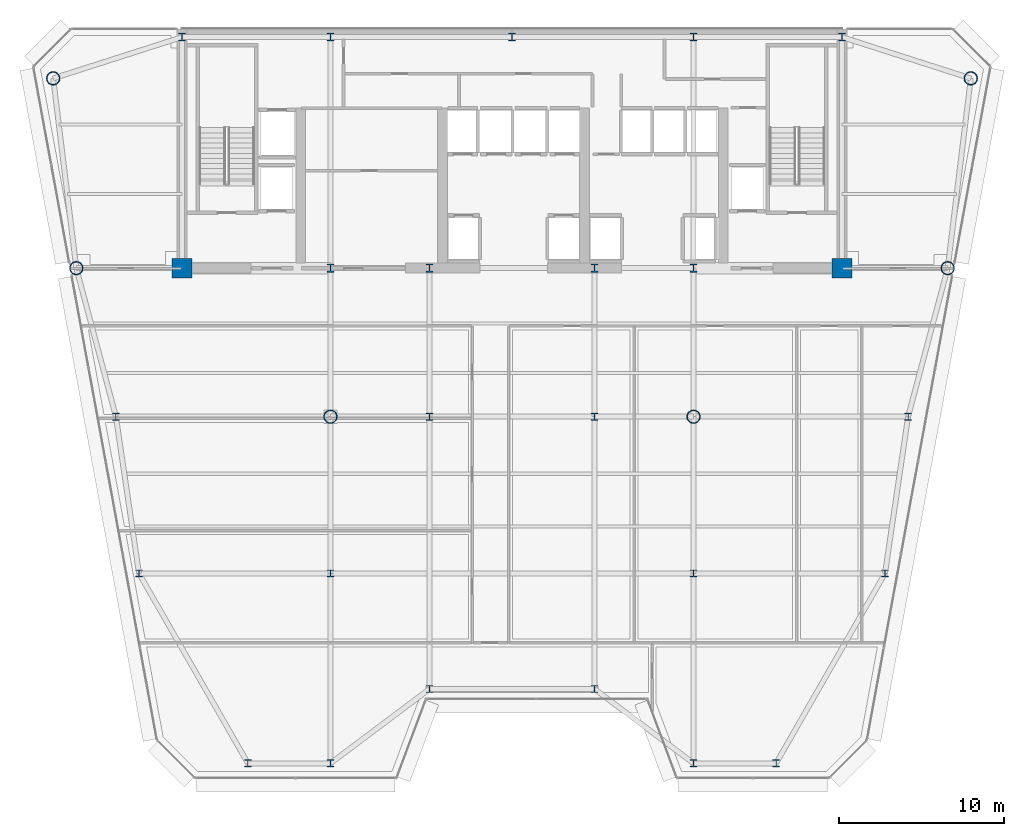
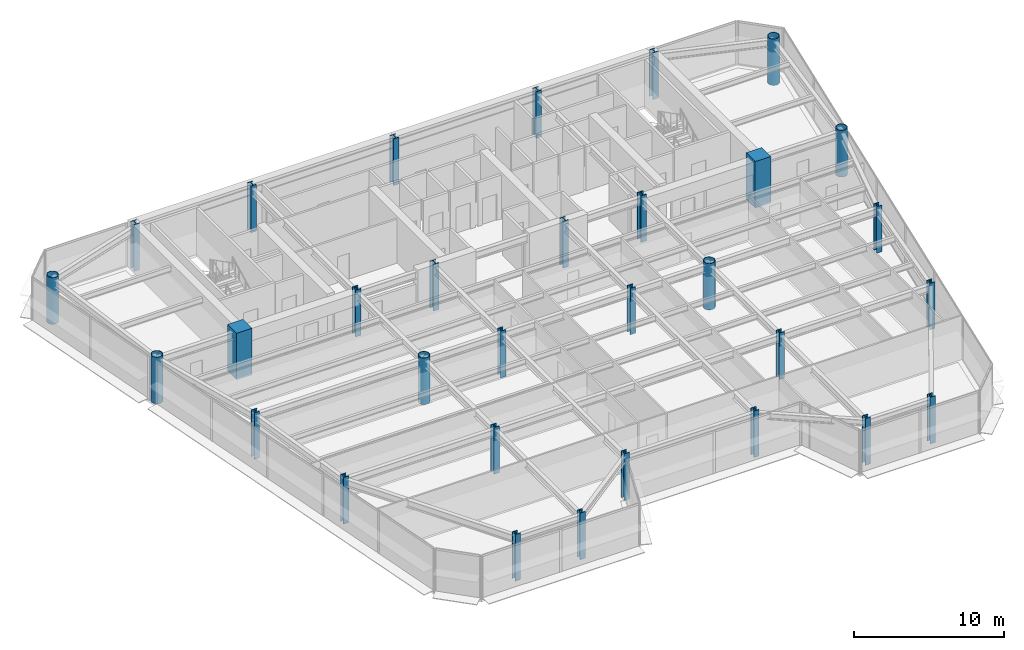
# One storey, part 1 of 16: 31 columns.
"""IFC4 building model written with IfcOpenShell, lengths in metres."""

from ifc_helpers import new_model, si_unit, direction, frame, origin, origin_2d, place, context, subcontext, project, spatial, rectangle, hollow_circle, i_section, extrude, source, transform, mapped, material, material_profile, profile_set, type_object, element, save


model = new_model("IFC4")

# Units and contexts
model_context = context("Model", 3, precision=1e-05, world=origin(), true_north=direction((0.0, 1.0)))
body_context = subcontext(model_context, "Body", "Model", "MODEL_VIEW")
ifc_project = project(units=[si_unit("LENGTHUNIT", "METRE"), si_unit("AREAUNIT", "SQUARE_METRE"), si_unit("VOLUMEUNIT", "CUBIC_METRE"), si_unit("PLANEANGLEUNIT", "RADIAN"), si_unit("MASSUNIT", "GRAM", prefix="KILO")], contexts=[model_context])

# Site, building, storey
site_placement = place(None, origin())
site = spatial("IfcSite", under=ifc_project, at=site_placement, CompositionType="ELEMENT")
building_placement = place(site_placement, origin())
building = spatial("IfcBuilding", under=site, at=building_placement, Name="Vaeldorn Concourse Tower", CompositionType="ELEMENT")
storey_placement = place(building_placement, frame((0.0, 0.0, 184.199951171875)))
storey = spatial("IfcBuildingStorey", under=building, at=storey_placement, Name="L47", CompositionType="ELEMENT", Elevation=184.199951171875)

# Columns
ifc_material_1 = material(Name="Concrete C50/60", Category="concrete")
ifc_material_profile_1 = material_profile(ifc_material_1, rectangle(XDim=1.199951171875, YDim=1.199951171875, at=origin_2d()), Name="RC 1200x1200")
ifc_profile_set_1 = profile_set([ifc_material_profile_1], Name="Concrete C50/60")
column_type_1 = type_object("IfcColumnType", Name="COL-RC1200", PredefinedType="COLUMN", material=ifc_profile_set_1)
shared_shape_1 = source(origin(), body_context, "Body", "SweptSolid", [
    extrude(rectangle(XDim=1.199951171875, YDim=1.199951171875, at=origin_2d()), origin(), (0.0, 0.0, 1.0), 3.800048828125),
])
for number, where, z_axis, x_axis, name in (
    (1, (14.0, 36.5, 0.0), (0.0, 0.0, 1.0), (1.0, 0.0, 0.0), "Column C-FC1 L47"),
    (2, (54.0, 36.5, 0.0), (0.0, 0.0, 1.0), (1.0, 0.0, 0.0), "Column C-FC6 L47"),
):
    element("IfcColumn", number, at=place(storey_placement, frame(where, z_axis=z_axis, x_axis=x_axis)), inside=storey, type_object=column_type_1, Name=name, PredefinedType="COLUMN", context=body_context, shape_type="MappedRepresentation", body=[
        mapped(shared_shape_1, transform((0.0, 0.0, 0.0), scale=1.0)),
    ])
ifc_material_2 = material(Name="Steel S460", Category="steel")
ifc_material_profile_2 = material_profile(ifc_material_2, i_section(OverallWidth=0.431884765625, OverallDepth=0.498046875, WebThickness=0.054931640625, FlangeThickness=0.068115234375, FilletRadius=0.014892578125, at=origin_2d()), Name="HD 400x744")
ifc_profile_set_2 = profile_set([ifc_material_profile_2], Name="Steel S460")
column_type_2 = type_object("IfcColumnType", Name="COL-HD744", PredefinedType="COLUMN", material=ifc_profile_set_2)
shared_shape_2 = source(origin(), body_context, "Body", "SweptSolid", [
    extrude(i_section(OverallWidth=0.431884765625, OverallDepth=0.498046875, WebThickness=0.054931640625, FlangeThickness=0.068115234375, FilletRadius=0.014892578125, at=origin_2d()), origin(), (0.0, 0.0, 1.0), 3.800048828125),
])
for number, where, z_axis, x_axis, name in (
    (3, (23.0, 36.5, 0.0), (0.0, 0.0, 1.0), (1.0, 0.0, 0.0), "Column C-FC2 L47"),
    (4, (29.0, 36.5, 0.0), (0.0, 0.0, 1.0), (1.0, 0.0, 0.0), "Column C-FC3 L47"),
    (5, (39.0, 36.5, 0.0), (0.0, 0.0, 1.0), (1.0, 0.0, 0.0), "Column C-FC4 L47"),
    (6, (45.0, 36.5, 0.0), (0.0, 0.0, 1.0), (1.0, 0.0, 0.0), "Column C-FC5 L47"),
    (7, (14.0, 50.5, 0.0), (0.0, 0.0, 1.0), (1.0, 0.0, 0.0), "Column C-HC1 L47"),
    (8, (23.0, 50.5, 0.0), (0.0, 0.0, 1.0), (1.0, 0.0, 0.0), "Column C-HC2 L47"),
    (9, (34.0, 50.5, 0.0), (0.0, 0.0, 1.0), (1.0, 0.0, 0.0), "Column C-HC3 L47"),
    (10, (45.0, 50.5, 0.0), (0.0, 0.0, 1.0), (1.0, 0.0, 0.0), "Column C-HC4 L47"),
    (11, (54.0, 50.5, 0.0), (0.0, 0.0, 1.0), (1.0, 0.0, 0.0), "Column C-HC5 L47"),
):
    element("IfcColumn", number, at=place(storey_placement, frame(where, z_axis=z_axis, x_axis=x_axis)), inside=storey, type_object=column_type_2, Name=name, PredefinedType="COLUMN", context=body_context, shape_type="MappedRepresentation", body=[
        mapped(shared_shape_2, transform((0.0, 0.0, 0.0), scale=1.0)),
    ])
ifc_material_profile_3 = material_profile(ifc_material_2, hollow_circle(Radius=0.406494140625, WallThickness=0.0400390625, at=origin_2d()), Name="CHS 813x40")
ifc_profile_set_3 = profile_set([ifc_material_profile_3], Name="Steel S460")
column_type_3 = type_object("IfcColumnType", Name="COL-CHS813", PredefinedType="COLUMN", material=ifc_profile_set_3)
shared_shape_3 = source(origin(), body_context, "Body", "SweptSolid", [
    extrude(hollow_circle(Radius=0.406494140625, WallThickness=0.0400390625, at=origin_2d()), origin(), (0.0, 0.0, 1.0), 3.800048828125),
])
for number, where, z_axis, x_axis, name in (
    (12, (6.199951171875, 48.0, 0.0), (0.0, 0.0, 1.0), (1.0, 0.0, 0.0), "Column C-NW1 L47"),
    (13, (7.60009765625, 36.5, 0.0), (0.0, 0.0, 1.0), (1.0, 0.0, 0.0), "Column C-NW2 L47"),
    (14, (61.800048828125, 48.0, 0.0), (0.0, 0.0, 1.0), (1.0, 0.0, 0.0), "Column C-NE1 L47"),
    (15, (60.39990234375, 36.5, 0.0), (0.0, 0.0, 1.0), (1.0, 0.0, 0.0), "Column C-NE2 L47"),
    (16, (23.0, 27.5, 0.0), (0.0, 0.0, 1.0), (1.0, 0.0, 0.0), "Column C-TW1 L47"),
    (17, (45.0, 27.5, 0.0), (0.0, 0.0, 1.0), (1.0, 0.0, 0.0), "Column C-TW4 L47"),
):
    element("IfcColumn", number, at=place(storey_placement, frame(where, z_axis=z_axis, x_axis=x_axis)), inside=storey, type_object=column_type_3, Name=name, PredefinedType="COLUMN", context=body_context, shape_type="MappedRepresentation", body=[
        mapped(shared_shape_3, transform((0.0, 0.0, 0.0), scale=1.0)),
    ])
ifc_material_3 = material(Name="Steel S355", Category="steel")
ifc_material_profile_4 = material_profile(ifc_material_3, i_section(OverallWidth=0.412109375, OverallDepth=0.43505859375, WebThickness=0.035888671875, FlangeThickness=0.050048828125, FilletRadius=0.014892578125, at=origin_2d()), Name="HD 400x463")
ifc_profile_set_4 = profile_set([ifc_material_profile_4], Name="Steel S355")
column_type_4 = type_object("IfcColumnType", Name="COL-HD463F", PredefinedType="COLUMN", material=ifc_profile_set_4)
shared_shape_4 = source(origin(), body_context, "Body", "SweptSolid", [
    extrude(i_section(OverallWidth=0.412109375, OverallDepth=0.43505859375, WebThickness=0.035888671875, FlangeThickness=0.050048828125, FilletRadius=0.014892578125, at=origin_2d()), origin(), (0.0, 0.0, 1.0), 3.800048828125),
])
for number, where, z_axis, x_axis, name in (
    (18, (10.0, 27.5, 0.0), (0.0, 0.0, 1.0), (1.0, 0.0, 0.0), "Column C-FLW1 L47"),
    (19, (11.39990234375, 18.0, 0.0), (0.0, 0.0, 1.0), (1.0, 0.0, 0.0), "Column C-FLW2 L47"),
    (20, (58.0, 27.5, 0.0), (0.0, 0.0, 1.0), (1.0, 0.0, 0.0), "Column C-FLE1 L47"),
    (21, (56.60009765625, 18.0, 0.0), (0.0, 0.0, 1.0), (1.0, 0.0, 0.0), "Column C-FLE2 L47"),
):
    element("IfcColumn", number, at=place(storey_placement, frame(where, z_axis=z_axis, x_axis=x_axis)), inside=storey, type_object=column_type_4, Name=name, PredefinedType="COLUMN", context=body_context, shape_type="MappedRepresentation", body=[
        mapped(shared_shape_4, transform((0.0, 0.0, 0.0), scale=1.0)),
    ])
ifc_material_profile_5 = material_profile(ifc_material_3, i_section(OverallWidth=0.412109375, OverallDepth=0.43505859375, WebThickness=0.035888671875, FlangeThickness=0.050048828125, FilletRadius=0.014892578125, at=origin_2d()), Name="HD 400x463")
ifc_profile_set_5 = profile_set([ifc_material_profile_5], Name="Steel S355")
column_type_5 = type_object("IfcColumnType", Name="COL-HD463T", PredefinedType="COLUMN", material=ifc_profile_set_5)
shared_shape_5 = source(origin(), body_context, "Body", "SweptSolid", [
    extrude(i_section(OverallWidth=0.412109375, OverallDepth=0.43505859375, WebThickness=0.035888671875, FlangeThickness=0.050048828125, FilletRadius=0.014892578125, at=origin_2d()), origin(), (0.0, 0.0, 1.0), 3.800048828125),
])
for number, where, z_axis, x_axis, name in (
    (22, (29.0, 27.5, 0.0), (0.0, 0.0, 1.0), (1.0, 0.0, 0.0), "Column C-TW2 L47"),
    (23, (39.0, 27.5, 0.0), (0.0, 0.0, 1.0), (1.0, 0.0, 0.0), "Column C-TW3 L47"),
    (24, (23.0, 18.0, 0.0), (0.0, 0.0, 1.0), (1.0, 0.0, 0.0), "Column C-TW5 L47"),
    (25, (45.0, 18.0, 0.0), (0.0, 0.0, 1.0), (1.0, 0.0, 0.0), "Column C-TW6 L47"),
    (26, (18.0, 6.5, 0.0), (0.0, 0.0, 1.0), (1.0, 0.0, 0.0), "Column C-SF1 L47"),
    (27, (23.0, 6.5, 0.0), (0.0, 0.0, 1.0), (1.0, 0.0, 0.0), "Column C-SF2 L47"),
    (28, (29.0, 11.0, 0.0), (0.0, 0.0, 1.0), (1.0, 0.0, 0.0), "Column C-SF3 L47"),
    (29, (39.0, 11.0, 0.0), (0.0, 0.0, 1.0), (1.0, 0.0, 0.0), "Column C-SF4 L47"),
    (30, (45.0, 6.5, 0.0), (0.0, 0.0, 1.0), (1.0, 0.0, 0.0), "Column C-SF5 L47"),
    (31, (50.0, 6.5, 0.0), (0.0, 0.0, 1.0), (1.0, 0.0, 0.0), "Column C-SF6 L47"),
):
    element("IfcColumn", number, at=place(storey_placement, frame(where, z_axis=z_axis, x_axis=x_axis)), inside=storey, type_object=column_type_5, Name=name, PredefinedType="COLUMN", context=body_context, shape_type="MappedRepresentation", body=[
        mapped(shared_shape_5, transform((0.0, 0.0, 0.0), scale=1.0)),
    ])

save(model, "model.ifc")
